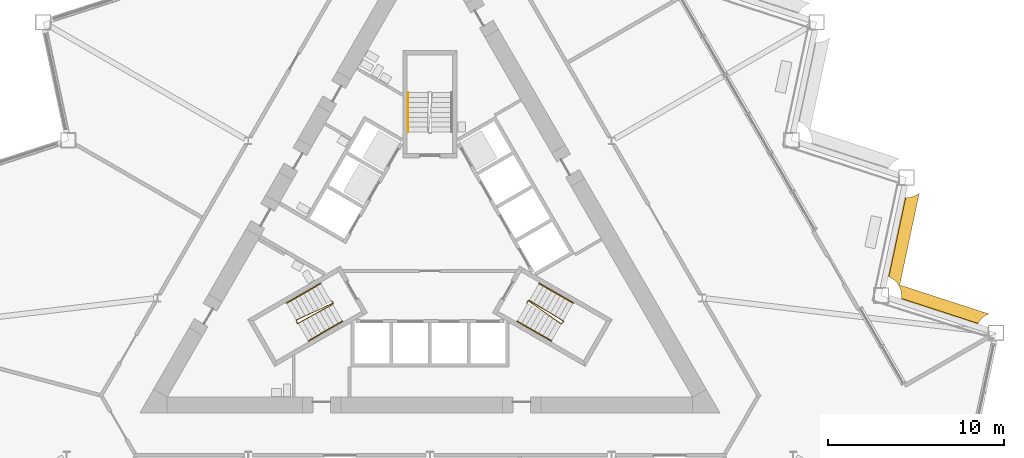
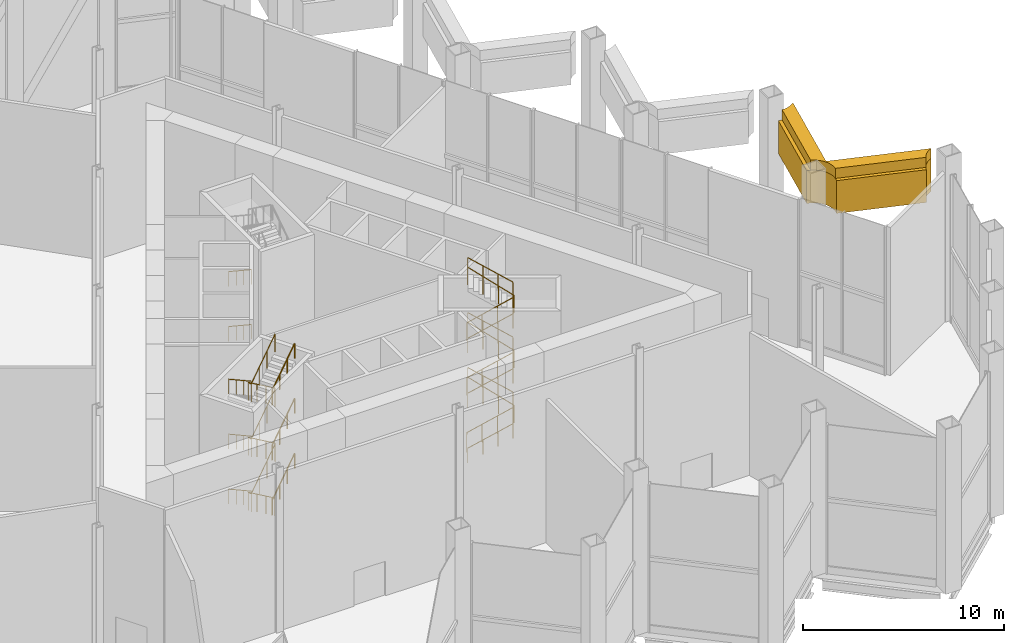
# One storey, part 15 of 18: 16 railings, 2 coverings.
"""IFC4 building model written with IfcOpenShell, lengths in metres."""

from ifc_helpers import new_model, si_unit, direction, frame, origin, origin_2d, place, context, subcontext, project, spatial, polyline, circle, outline, extrude, material, layer, layer_set, type_object, element, save


model = new_model("IFC4")

# Units and contexts
model_context = context("Model", 3, precision=1e-05, world=origin(), true_north=direction((0.0, 1.0)))
body_context = subcontext(model_context, "Body", "Model", "MODEL_VIEW")
ifc_project = project(units=[si_unit("LENGTHUNIT", "METRE"), si_unit("AREAUNIT", "SQUARE_METRE"), si_unit("VOLUMEUNIT", "CUBIC_METRE"), si_unit("PLANEANGLEUNIT", "RADIAN"), si_unit("MASSUNIT", "GRAM", prefix="KILO")], contexts=[model_context])

# Site, building, storey
site_placement = place(None, origin())
site = spatial("IfcSite", under=ifc_project, at=site_placement, CompositionType="ELEMENT")
building_placement = place(site_placement, origin())
building = spatial("IfcBuilding", under=site, at=building_placement, Name="Cormorant Prow Tower", CompositionType="ELEMENT")
storey_placement = place(building_placement, frame((0.0, 0.0, 154.199951171875)))
storey = spatial("IfcBuildingStorey", under=building, at=storey_placement, Name="L33", CompositionType="ELEMENT", Elevation=154.199951171875)

# Railings
ifc_material_1 = material(Name="Stainless steel", Category="steel")
railing_type_1 = type_object("IfcRailingType", Name="Stair guard 1100", PredefinedType="GUARDRAIL", material=ifc_material_1)
railing_1_placement = place(storey_placement, frame((-5.585205078125, -3.137939453125, 0.0)))
element("IfcRailing", 1, at=railing_1_placement, inside=storey, type_object=railing_type_1, Name="L33 ST1 stair guard 1", PredefinedType="GUARDRAIL", context=body_context, shape_type="SweptSolid", body=[
    extrude(circle(Radius=0.02392578125, at=origin_2d()), frame((0.0, 0.0, 1.076171875), z_axis=(0.501036270542, -0.865426285481, 0.0), x_axis=(0.865426285481, 0.501036270542, 0.0)), (0.0, 0.0, 1.0), 0.150146484375),
    extrude(circle(Radius=0.02392578125, at=origin_2d()), frame((0.0751953125, -0.1298828125, 1.076171875), z_axis=(-0.733674800789, -0.342289860769, 0.586991429156), x_axis=(0.422792438952, -0.906226546491, 0.0)), (0.0, 0.0, 1.0), 2.83935546875),
    extrude(circle(Radius=0.02392578125, at=origin_2d()), frame((-2.008056640625, -1.101806640625, 2.74267578125), z_axis=(0.275034262293, -0.961434425515, 0.0), x_axis=(0.961434425515, 0.275034262293, 0.0)), (0.0, 0.0, 1.0), 0.2060546875),
    extrude(circle(Radius=0.02392578125, at=origin_2d()), frame((-1.951416015625, -1.2998046875, 2.74267578125), z_axis=(0.708945260141, 0.388859836343, 0.588374579502), x_axis=(-0.480911908544, 0.87676891837, 0.0)), (0.0, 0.0, 1.0), 2.832763671875),
    extrude(circle(Radius=0.02392578125, at=origin_2d()), frame((0.056884765625, -0.1982421875, 4.40966796875), z_axis=(0.258736085224, 0.965948051503, 0.0), x_axis=(-0.965948051503, 0.258736085224, 0.0)), (0.0, 0.0, 1.0), 0.07080078125),
    extrude(circle(Radius=0.02392578125, at=origin_2d()), frame((0.0751953125, -0.1298828125, 4.40966796875), z_axis=(-0.733711829474, -0.342307136193, 0.586935069494), x_axis=(0.422792438952, -0.906226546491, 0.0)), (0.0, 0.0, 1.0), 2.83935546875),
    extrude(circle(Radius=0.02392578125, at=origin_2d()), frame((-2.008056640625, -1.101806640625, 6.076171875), z_axis=(0.275034262293, -0.961434425515, 0.0), x_axis=(0.961434425515, 0.275034262293, 0.0)), (0.0, 0.0, 1.0), 0.2060546875),
    extrude(circle(Radius=0.02392578125, at=origin_2d()), frame((-1.951416015625, -1.2998046875, 6.076171875), z_axis=(0.708945260141, 0.388859836343, 0.588374579502), x_axis=(-0.480911908544, 0.87676891837, 0.0)), (0.0, 0.0, 1.0), 2.832763671875),
    extrude(circle(Radius=0.02392578125, at=origin_2d()), frame((0.056884765625, -0.1982421875, 7.74267578125), z_axis=(0.258736085224, 0.965948051503, 0.0), x_axis=(-0.965948051503, 0.258736085224, 0.0)), (0.0, 0.0, 1.0), 0.07080078125),
    extrude(circle(Radius=0.02392578125, at=origin_2d()), frame((0.0751953125, -0.1298828125, 7.74267578125), z_axis=(-0.733674800789, -0.342289860769, 0.586991429156), x_axis=(0.422792438952, -0.906226546491, 0.0)), (0.0, 0.0, 1.0), 2.83935546875),
    extrude(circle(Radius=0.02392578125, at=origin_2d()), frame((-2.008056640625, -1.101806640625, 9.40966796875), z_axis=(0.275034262293, -0.961434425515, 0.0), x_axis=(0.961434425515, 0.275034262293, 0.0)), (0.0, 0.0, 1.0), 0.2060546875),
    extrude(circle(Radius=0.02392578125, at=origin_2d()), frame((-1.951416015625, -1.2998046875, 9.40966796875), z_axis=(0.708981209556, 0.388879554767, 0.588318227137), x_axis=(-0.480911908544, 0.87676891837, 0.0)), (0.0, 0.0, 1.0), 2.832763671875),
    extrude(circle(Radius=0.02099609375, at=origin_2d()), origin(), (0.0, 0.0, 1.0), 1.052001953125),
    extrude(circle(Radius=0.02099609375, at=origin_2d()), frame((0.0751953125, -0.1298828125, 0.0)), (0.0, 0.0, 1.0), 1.052001953125),
    extrude(circle(Radius=0.02099609375, at=origin_2d()), frame((-0.619140625, -0.453857421875, 0.5556640625)), (0.0, 0.0, 1.0), 1.052001953125),
    extrude(circle(Radius=0.02099609375, at=origin_2d()), frame((-1.313720703125, -0.77783203125, 1.111083984375)), (0.0, 0.0, 1.0), 1.052001953125),
    extrude(circle(Radius=0.02099609375, at=origin_2d()), frame((-2.008056640625, -1.101806640625, 1.666748046875)), (0.0, 0.0, 1.0), 1.052001953125),
    extrude(circle(Radius=0.02099609375, at=origin_2d()), frame((-1.951416015625, -1.2998046875, 1.666748046875)), (0.0, 0.0, 1.0), 1.052001953125),
    extrude(circle(Radius=0.02099609375, at=origin_2d()), frame((-1.281982421875, -0.9326171875, 2.222412109375)), (0.0, 0.0, 1.0), 1.052001953125),
    extrude(circle(Radius=0.02099609375, at=origin_2d()), frame((-0.612548828125, -0.5654296875, 2.77783203125)), (0.0, 0.0, 1.0), 1.052001953125),
    extrude(circle(Radius=0.02099609375, at=origin_2d()), frame((0.056884765625, -0.1982421875, 3.33349609375)), (0.0, 0.0, 1.0), 1.052001953125),
    extrude(circle(Radius=0.02099609375, at=origin_2d()), frame((0.0751953125, -0.1298828125, 3.33349609375)), (0.0, 0.0, 1.0), 1.052001953125),
    extrude(circle(Radius=0.02099609375, at=origin_2d()), frame((-0.619140625, -0.453857421875, 3.888916015625)), (0.0, 0.0, 1.0), 1.052001953125),
    extrude(circle(Radius=0.02099609375, at=origin_2d()), frame((-1.313720703125, -0.77783203125, 4.444580078125)), (0.0, 0.0, 1.0), 1.052001953125),
    extrude(circle(Radius=0.02099609375, at=origin_2d()), frame((-2.008056640625, -1.101806640625, 5.0)), (0.0, 0.0, 1.0), 1.052001953125),
    extrude(circle(Radius=0.02099609375, at=origin_2d()), frame((-1.951416015625, -1.2998046875, 5.0)), (0.0, 0.0, 1.0), 1.052001953125),
    extrude(circle(Radius=0.02099609375, at=origin_2d()), frame((-1.281982421875, -0.9326171875, 5.5556640625)), (0.0, 0.0, 1.0), 1.052001953125),
    extrude(circle(Radius=0.02099609375, at=origin_2d()), frame((-0.612548828125, -0.5654296875, 6.111083984375)), (0.0, 0.0, 1.0), 1.052001953125),
    extrude(circle(Radius=0.02099609375, at=origin_2d()), frame((0.056884765625, -0.1982421875, 6.666748046875)), (0.0, 0.0, 1.0), 1.052001953125),
    extrude(circle(Radius=0.02099609375, at=origin_2d()), frame((0.0751953125, -0.1298828125, 6.666748046875)), (0.0, 0.0, 1.0), 1.052001953125),
    extrude(circle(Radius=0.02099609375, at=origin_2d()), frame((-0.619140625, -0.453857421875, 7.222412109375)), (0.0, 0.0, 1.0), 1.052001953125),
    extrude(circle(Radius=0.02099609375, at=origin_2d()), frame((-1.313720703125, -0.77783203125, 7.77783203125)), (0.0, 0.0, 1.0), 1.052001953125),
    extrude(circle(Radius=0.02099609375, at=origin_2d()), frame((-2.008056640625, -1.101806640625, 8.33349609375)), (0.0, 0.0, 1.0), 1.052001953125),
    extrude(circle(Radius=0.02099609375, at=origin_2d()), frame((-1.951416015625, -1.2998046875, 8.33349609375)), (0.0, 0.0, 1.0), 1.052001953125),
    extrude(circle(Radius=0.02099609375, at=origin_2d()), frame((-1.281982421875, -0.9326171875, 8.888916015625)), (0.0, 0.0, 1.0), 1.052001953125),
    extrude(circle(Radius=0.02099609375, at=origin_2d()), frame((-0.612548828125, -0.5654296875, 9.444580078125)), (0.0, 0.0, 1.0), 1.052001953125),
    extrude(circle(Radius=0.02099609375, at=origin_2d()), frame((0.056884765625, -0.1982421875, 10.0)), (0.0, 0.0, 1.0), 1.052001953125),
])
railing_2_placement = place(storey_placement, frame((5.510009765625, -3.267822265625, 0.0)))
element("IfcRailing", 2, at=railing_2_placement, inside=storey, type_object=railing_type_1, Name="L33 ST2 stair guard 1", PredefinedType="GUARDRAIL", context=body_context, shape_type="SweptSolid", body=[
    extrude(circle(Radius=0.02392578125, at=origin_2d()), frame((0.0, 0.0, 1.076171875), z_axis=(0.501036270542, 0.865426285481, 0.0), x_axis=(-0.865426285481, 0.501036270542, 0.0)), (0.0, 0.0, 1.0), 0.150146484375),
    extrude(circle(Radius=0.02392578125, at=origin_2d()), frame((0.0751953125, 0.1298828125, 1.076171875), z_axis=(0.663221673184, -0.464246572478, 0.587036738341), x_axis=(0.573455215813, 0.819236910458, 0.0)), (0.0, 0.0, 1.0), 2.83935546875),
    extrude(circle(Radius=0.02392578125, at=origin_2d()), frame((1.958251953125, -1.188232421875, 2.74267578125), z_axis=(0.695164929852, 0.718850276695, 0.0), x_axis=(-0.718850276695, 0.695164929852, 0.0)), (0.0, 0.0, 1.0), 0.2060546875),
    extrude(circle(Radius=0.02392578125, at=origin_2d()), frame((2.1015625, -1.0400390625, 2.74267578125), z_axis=(-0.69128044623, 0.419456667722, 0.588376961278), x_axis=(-0.518752825935, -0.854924268918, 0.0)), (0.0, 0.0, 1.0), 2.832763671875),
    extrude(circle(Radius=0.02392578125, at=origin_2d()), frame((0.143310546875, 0.148193359375, 4.40966796875), z_axis=(-0.965715946433, -0.259601060869, 0.0), x_axis=(0.259601060869, -0.965715946433, 0.0)), (0.0, 0.0, 1.0), 0.070556640625),
    extrude(circle(Radius=0.02392578125, at=origin_2d()), frame((0.0751953125, 0.1298828125, 4.40966796875), z_axis=(0.663255151256, -0.464270006694, 0.586980378902), x_axis=(0.573455215813, 0.819236910458, 0.0)), (0.0, 0.0, 1.0), 2.839111328125),
    extrude(circle(Radius=0.02392578125, at=origin_2d()), frame((1.958251953125, -1.188232421875, 6.076171875), z_axis=(0.695164929852, 0.718850276695, 0.0), x_axis=(-0.718850276695, 0.695164929852, 0.0)), (0.0, 0.0, 1.0), 0.2060546875),
    extrude(circle(Radius=0.02392578125, at=origin_2d()), frame((2.1015625, -1.0400390625, 6.076171875), z_axis=(-0.69128044623, 0.419456667722, 0.588376961278), x_axis=(-0.518752825935, -0.854924268918, 0.0)), (0.0, 0.0, 1.0), 2.832763671875),
    extrude(circle(Radius=0.02392578125, at=origin_2d()), frame((0.143310546875, 0.148193359375, 7.74267578125), z_axis=(-0.965715946433, -0.259601060869, 0.0), x_axis=(0.259601060869, -0.965715946433, 0.0)), (0.0, 0.0, 1.0), 0.070556640625),
    extrude(circle(Radius=0.02392578125, at=origin_2d()), frame((0.0751953125, 0.1298828125, 7.74267578125), z_axis=(0.663221673184, -0.464246572478, 0.587036738341), x_axis=(0.573455215813, 0.819236910458, 0.0)), (0.0, 0.0, 1.0), 2.83935546875),
    extrude(circle(Radius=0.02392578125, at=origin_2d()), frame((1.958251953125, -1.188232421875, 9.40966796875), z_axis=(0.695164929852, 0.718850276695, 0.0), x_axis=(-0.718850276695, 0.695164929852, 0.0)), (0.0, 0.0, 1.0), 0.2060546875),
    extrude(circle(Radius=0.02392578125, at=origin_2d()), frame((2.1015625, -1.0400390625, 9.40966796875), z_axis=(-0.691315500176, 0.419477937833, 0.588320608927), x_axis=(-0.518752825935, -0.854924268918, 0.0)), (0.0, 0.0, 1.0), 2.832763671875),
    extrude(circle(Radius=0.02099609375, at=origin_2d()), origin(), (0.0, 0.0, 1.0), 1.052001953125),
    extrude(circle(Radius=0.02099609375, at=origin_2d()), frame((0.0751953125, 0.1298828125, 0.0)), (0.0, 0.0, 1.0), 1.052001953125),
    extrude(circle(Radius=0.02099609375, at=origin_2d()), frame((0.702880859375, -0.3095703125, 0.5556640625)), (0.0, 0.0, 1.0), 1.052001953125),
    extrude(circle(Radius=0.02099609375, at=origin_2d()), frame((1.33056640625, -0.748779296875, 1.111083984375)), (0.0, 0.0, 1.0), 1.052001953125),
    extrude(circle(Radius=0.02099609375, at=origin_2d()), frame((1.958251953125, -1.188232421875, 1.666748046875)), (0.0, 0.0, 1.0), 1.052001953125),
    extrude(circle(Radius=0.02099609375, at=origin_2d()), frame((2.1015625, -1.0400390625, 1.666748046875)), (0.0, 0.0, 1.0), 1.052001953125),
    extrude(circle(Radius=0.02099609375, at=origin_2d()), frame((1.44873046875, -0.64404296875, 2.222412109375)), (0.0, 0.0, 1.0), 1.052001953125),
    extrude(circle(Radius=0.02099609375, at=origin_2d()), frame((0.796142578125, -0.247802734375, 2.77783203125)), (0.0, 0.0, 1.0), 1.052001953125),
    extrude(circle(Radius=0.02099609375, at=origin_2d()), frame((0.143310546875, 0.148193359375, 3.33349609375)), (0.0, 0.0, 1.0), 1.052001953125),
    extrude(circle(Radius=0.02099609375, at=origin_2d()), frame((0.0751953125, 0.1298828125, 3.33349609375)), (0.0, 0.0, 1.0), 1.052001953125),
    extrude(circle(Radius=0.02099609375, at=origin_2d()), frame((0.702880859375, -0.3095703125, 3.888916015625)), (0.0, 0.0, 1.0), 1.052001953125),
    extrude(circle(Radius=0.02099609375, at=origin_2d()), frame((1.33056640625, -0.748779296875, 4.444580078125)), (0.0, 0.0, 1.0), 1.052001953125),
    extrude(circle(Radius=0.02099609375, at=origin_2d()), frame((1.958251953125, -1.188232421875, 5.0)), (0.0, 0.0, 1.0), 1.052001953125),
    extrude(circle(Radius=0.02099609375, at=origin_2d()), frame((2.1015625, -1.0400390625, 5.0)), (0.0, 0.0, 1.0), 1.052001953125),
    extrude(circle(Radius=0.02099609375, at=origin_2d()), frame((1.44873046875, -0.64404296875, 5.5556640625)), (0.0, 0.0, 1.0), 1.052001953125),
    extrude(circle(Radius=0.02099609375, at=origin_2d()), frame((0.796142578125, -0.247802734375, 6.111083984375)), (0.0, 0.0, 1.0), 1.052001953125),
    extrude(circle(Radius=0.02099609375, at=origin_2d()), frame((0.143310546875, 0.148193359375, 6.666748046875)), (0.0, 0.0, 1.0), 1.052001953125),
    extrude(circle(Radius=0.02099609375, at=origin_2d()), frame((0.0751953125, 0.1298828125, 6.666748046875)), (0.0, 0.0, 1.0), 1.052001953125),
    extrude(circle(Radius=0.02099609375, at=origin_2d()), frame((0.702880859375, -0.3095703125, 7.222412109375)), (0.0, 0.0, 1.0), 1.052001953125),
    extrude(circle(Radius=0.02099609375, at=origin_2d()), frame((1.33056640625, -0.748779296875, 7.77783203125)), (0.0, 0.0, 1.0), 1.052001953125),
    extrude(circle(Radius=0.02099609375, at=origin_2d()), frame((1.958251953125, -1.188232421875, 8.33349609375)), (0.0, 0.0, 1.0), 1.052001953125),
    extrude(circle(Radius=0.02099609375, at=origin_2d()), frame((2.1015625, -1.0400390625, 8.33349609375)), (0.0, 0.0, 1.0), 1.052001953125),
    extrude(circle(Radius=0.02099609375, at=origin_2d()), frame((1.44873046875, -0.64404296875, 8.888916015625)), (0.0, 0.0, 1.0), 1.052001953125),
    extrude(circle(Radius=0.02099609375, at=origin_2d()), frame((0.796142578125, -0.247802734375, 9.444580078125)), (0.0, 0.0, 1.0), 1.052001953125),
    extrude(circle(Radius=0.02099609375, at=origin_2d()), frame((0.143310546875, 0.148193359375, 10.0)), (0.0, 0.0, 1.0), 1.052001953125),
])
ifc_material_2 = material(Name="Stainless steel", Category="steel")
railing_type_2 = type_object("IfcRailingType", Name="Stair handrail 900", PredefinedType="HANDRAIL", material=ifc_material_2)
railing_3_placement = place(storey_placement, frame((-6.212890625, -2.150634765625, 0.185302734375)))
element("IfcRailing", 3, at=railing_3_placement, inside=storey, type_object=railing_type_2, Name="L33 ST1 stair handrail 1", PredefinedType="HANDRAIL", context=body_context, shape_type="SweptSolid", body=[
    extrude(circle(Radius=0.02392578125, at=origin_2d()), frame((0.0, 0.0, 0.8759765625), z_axis=(-0.722363311002, -0.416999812178, 0.551636115172), x_axis=(0.49994888933, -0.866054910533, 0.0)), (0.0, 0.0, 1.0), 2.685546875),
    extrude(circle(Radius=0.02099609375, at=origin_2d()), origin(), (0.0, 0.0, 1.0), 0.851806640625),
    extrude(circle(Radius=0.02099609375, at=origin_2d()), frame((-0.646728515625, -0.373291015625, 0.493896484375)), (0.0, 0.0, 1.0), 0.851806640625),
    extrude(circle(Radius=0.02099609375, at=origin_2d()), frame((-1.293212890625, -0.74658203125, 0.987548828125)), (0.0, 0.0, 1.0), 0.851806640625),
    extrude(circle(Radius=0.02099609375, at=origin_2d()), frame((-1.93994140625, -1.119873046875, 1.4814453125)), (0.0, 0.0, 1.0), 0.851806640625),
])
railing_4_placement = place(storey_placement, frame((-6.90869140625, -5.42529296875, 1.851806640625)))
element("IfcRailing", 4, at=railing_4_placement, inside=storey, type_object=railing_type_2, Name="L33 ST1 stair handrail 2", PredefinedType="HANDRAIL", context=body_context, shape_type="SweptSolid", body=[
    extrude(circle(Radius=0.02392578125, at=origin_2d()), frame((0.0, 0.0, 0.8759765625), z_axis=(0.722256223011, 0.417081378373, 0.551714665507), x_axis=(-0.500077830873, 0.865980463445, 0.0)), (0.0, 0.0, 1.0), 2.685546875),
    extrude(circle(Radius=0.02099609375, at=origin_2d()), origin(), (0.0, 0.0, 1.0), 0.851806640625),
    extrude(circle(Radius=0.02099609375, at=origin_2d()), frame((0.646484375, 0.373291015625, 0.493896484375)), (0.0, 0.0, 1.0), 0.851806640625),
    extrude(circle(Radius=0.02099609375, at=origin_2d()), frame((1.293212890625, 0.746826171875, 0.98779296875)), (0.0, 0.0, 1.0), 0.851806640625),
    extrude(circle(Radius=0.02099609375, at=origin_2d()), frame((1.939697265625, 1.1201171875, 1.481689453125)), (0.0, 0.0, 1.0), 0.851806640625),
])
railing_5_placement = place(storey_placement, frame((-6.212890625, -2.150634765625, 3.5185546875)))
element("IfcRailing", 5, at=railing_5_placement, inside=storey, type_object=railing_type_2, Name="L33 ST1 stair handrail 3", PredefinedType="HANDRAIL", context=body_context, shape_type="SweptSolid", body=[
    extrude(circle(Radius=0.02392578125, at=origin_2d()), frame((0.0, 0.0, 0.8759765625), z_axis=(-0.722363311002, -0.416999812178, 0.551636115172), x_axis=(0.49994888933, -0.866054910533, 0.0)), (0.0, 0.0, 1.0), 2.685546875),
    extrude(circle(Radius=0.02099609375, at=origin_2d()), origin(), (0.0, 0.0, 1.0), 0.851806640625),
    extrude(circle(Radius=0.02099609375, at=origin_2d()), frame((-0.646728515625, -0.373291015625, 0.493896484375)), (0.0, 0.0, 1.0), 0.851806640625),
    extrude(circle(Radius=0.02099609375, at=origin_2d()), frame((-1.293212890625, -0.74658203125, 0.987548828125)), (0.0, 0.0, 1.0), 0.851806640625),
    extrude(circle(Radius=0.02099609375, at=origin_2d()), frame((-1.93994140625, -1.119873046875, 1.4814453125)), (0.0, 0.0, 1.0), 0.851806640625),
])
railing_6_placement = place(storey_placement, frame((-6.90869140625, -5.42529296875, 5.185302734375)))
element("IfcRailing", 6, at=railing_6_placement, inside=storey, type_object=railing_type_2, Name="L33 ST1 stair handrail 4", PredefinedType="HANDRAIL", context=body_context, shape_type="SweptSolid", body=[
    extrude(circle(Radius=0.02392578125, at=origin_2d()), frame((0.0, 0.0, 0.8759765625), z_axis=(0.72229244732, 0.417102296828, 0.551651424838), x_axis=(-0.500077830873, 0.865980463445, 0.0)), (0.0, 0.0, 1.0), 2.685546875),
    extrude(circle(Radius=0.02099609375, at=origin_2d()), origin(), (0.0, 0.0, 1.0), 0.851806640625),
    extrude(circle(Radius=0.02099609375, at=origin_2d()), frame((0.646484375, 0.373291015625, 0.493896484375)), (0.0, 0.0, 1.0), 0.851806640625),
    extrude(circle(Radius=0.02099609375, at=origin_2d()), frame((1.293212890625, 0.746826171875, 0.987548828125)), (0.0, 0.0, 1.0), 0.851806640625),
    extrude(circle(Radius=0.02099609375, at=origin_2d()), frame((1.939697265625, 1.1201171875, 1.4814453125)), (0.0, 0.0, 1.0), 0.851806640625),
])
railing_7_placement = place(storey_placement, frame((-6.212890625, -2.150634765625, 6.851806640625)))
element("IfcRailing", 7, at=railing_7_placement, inside=storey, type_object=railing_type_2, Name="L33 ST1 stair handrail 5", PredefinedType="HANDRAIL", context=body_context, shape_type="SweptSolid", body=[
    extrude(circle(Radius=0.02392578125, at=origin_2d()), frame((0.0, 0.0, 0.8759765625), z_axis=(-0.72232708515, -0.416978900023, 0.551699355622), x_axis=(0.49994888933, -0.866054910533, 0.0)), (0.0, 0.0, 1.0), 2.685791015625),
    extrude(circle(Radius=0.02099609375, at=origin_2d()), origin(), (0.0, 0.0, 1.0), 0.851806640625),
    extrude(circle(Radius=0.02099609375, at=origin_2d()), frame((-0.646728515625, -0.373291015625, 0.493896484375)), (0.0, 0.0, 1.0), 0.851806640625),
    extrude(circle(Radius=0.02099609375, at=origin_2d()), frame((-1.293212890625, -0.74658203125, 0.98779296875)), (0.0, 0.0, 1.0), 0.851806640625),
    extrude(circle(Radius=0.02099609375, at=origin_2d()), frame((-1.93994140625, -1.119873046875, 1.481689453125)), (0.0, 0.0, 1.0), 0.851806640625),
])
railing_8_placement = place(storey_placement, frame((-6.90869140625, -5.42529296875, 8.5185546875)))
element("IfcRailing", 8, at=railing_8_placement, inside=storey, type_object=railing_type_2, Name="L33 ST1 stair handrail 6", PredefinedType="HANDRAIL", context=body_context, shape_type="SweptSolid", body=[
    extrude(circle(Radius=0.02392578125, at=origin_2d()), frame((0.0, 0.0, 0.8759765625), z_axis=(0.72229244732, 0.417102296828, 0.551651424838), x_axis=(-0.500077830873, 0.865980463445, 0.0)), (0.0, 0.0, 1.0), 2.685546875),
    extrude(circle(Radius=0.02099609375, at=origin_2d()), origin(), (0.0, 0.0, 1.0), 0.851806640625),
    extrude(circle(Radius=0.02099609375, at=origin_2d()), frame((0.646484375, 0.373291015625, 0.493896484375)), (0.0, 0.0, 1.0), 0.851806640625),
    extrude(circle(Radius=0.02099609375, at=origin_2d()), frame((1.293212890625, 0.746826171875, 0.987548828125)), (0.0, 0.0, 1.0), 0.851806640625),
    extrude(circle(Radius=0.02099609375, at=origin_2d()), frame((1.939697265625, 1.1201171875, 1.4814453125)), (0.0, 0.0, 1.0), 0.851806640625),
])
railing_9_placement = place(storey_placement, frame((4.968994140625, -4.30517578125, 0.185302734375)))
element("IfcRailing", 9, at=railing_9_placement, inside=storey, type_object=railing_type_2, Name="L33 ST2 stair handrail 1", PredefinedType="HANDRAIL", context=body_context, shape_type="SweptSolid", body=[
    extrude(circle(Radius=0.02392578125, at=origin_2d()), frame((0.0, 0.0, 0.8759765625), z_axis=(0.72229244732, -0.417102296828, 0.551651424838), x_axis=(0.500077830873, 0.865980463445, 0.0)), (0.0, 0.0, 1.0), 2.685546875),
    extrude(circle(Radius=0.02099609375, at=origin_2d()), origin(), (0.0, 0.0, 1.0), 0.851806640625),
    extrude(circle(Radius=0.02099609375, at=origin_2d()), frame((0.646484375, -0.373291015625, 0.493896484375)), (0.0, 0.0, 1.0), 0.851806640625),
    extrude(circle(Radius=0.02099609375, at=origin_2d()), frame((1.293212890625, -0.746826171875, 0.987548828125)), (0.0, 0.0, 1.0), 0.851806640625),
    extrude(circle(Radius=0.02099609375, at=origin_2d()), frame((1.939697265625, -1.1201171875, 1.4814453125)), (0.0, 0.0, 1.0), 0.851806640625),
])
railing_10_placement = place(storey_placement, frame((8.15283203125, -3.2705078125, 1.851806640625)))
element("IfcRailing", 10, at=railing_10_placement, inside=storey, type_object=railing_type_2, Name="L33 ST2 stair handrail 2", PredefinedType="HANDRAIL", context=body_context, shape_type="SweptSolid", body=[
    extrude(circle(Radius=0.02392578125, at=origin_2d()), frame((0.0, 0.0, 0.8759765625), z_axis=(-0.72232708515, 0.416978900023, 0.551699355622), x_axis=(-0.49994888933, -0.866054910533, 0.0)), (0.0, 0.0, 1.0), 2.685791015625),
    extrude(circle(Radius=0.02099609375, at=origin_2d()), origin(), (0.0, 0.0, 1.0), 0.851806640625),
    extrude(circle(Radius=0.02099609375, at=origin_2d()), frame((-0.646728515625, 0.373291015625, 0.493896484375)), (0.0, 0.0, 1.0), 0.851806640625),
    extrude(circle(Radius=0.02099609375, at=origin_2d()), frame((-1.293212890625, 0.74658203125, 0.98779296875)), (0.0, 0.0, 1.0), 0.851806640625),
    extrude(circle(Radius=0.02099609375, at=origin_2d()), frame((-1.93994140625, 1.119873046875, 1.481689453125)), (0.0, 0.0, 1.0), 0.851806640625),
])
railing_11_placement = place(storey_placement, frame((4.968994140625, -4.30517578125, 3.5185546875)))
element("IfcRailing", 11, at=railing_11_placement, inside=storey, type_object=railing_type_2, Name="L33 ST2 stair handrail 3", PredefinedType="HANDRAIL", context=body_context, shape_type="SweptSolid", body=[
    extrude(circle(Radius=0.02392578125, at=origin_2d()), frame((0.0, 0.0, 0.8759765625), z_axis=(0.72229244732, -0.417102296828, 0.551651424838), x_axis=(0.500077830873, 0.865980463445, 0.0)), (0.0, 0.0, 1.0), 2.685546875),
    extrude(circle(Radius=0.02099609375, at=origin_2d()), origin(), (0.0, 0.0, 1.0), 0.851806640625),
    extrude(circle(Radius=0.02099609375, at=origin_2d()), frame((0.646484375, -0.373291015625, 0.493896484375)), (0.0, 0.0, 1.0), 0.851806640625),
    extrude(circle(Radius=0.02099609375, at=origin_2d()), frame((1.293212890625, -0.746826171875, 0.987548828125)), (0.0, 0.0, 1.0), 0.851806640625),
    extrude(circle(Radius=0.02099609375, at=origin_2d()), frame((1.939697265625, -1.1201171875, 1.4814453125)), (0.0, 0.0, 1.0), 0.851806640625),
])
railing_12_placement = place(storey_placement, frame((8.15283203125, -3.2705078125, 5.185302734375)))
element("IfcRailing", 12, at=railing_12_placement, inside=storey, type_object=railing_type_2, Name="L33 ST2 stair handrail 4", PredefinedType="HANDRAIL", context=body_context, shape_type="SweptSolid", body=[
    extrude(circle(Radius=0.02392578125, at=origin_2d()), frame((0.0, 0.0, 0.8759765625), z_axis=(-0.722363311002, 0.416999812178, 0.551636115172), x_axis=(-0.49994888933, -0.866054910533, 0.0)), (0.0, 0.0, 1.0), 2.685546875),
    extrude(circle(Radius=0.02099609375, at=origin_2d()), origin(), (0.0, 0.0, 1.0), 0.851806640625),
    extrude(circle(Radius=0.02099609375, at=origin_2d()), frame((-0.646728515625, 0.373291015625, 0.493896484375)), (0.0, 0.0, 1.0), 0.851806640625),
    extrude(circle(Radius=0.02099609375, at=origin_2d()), frame((-1.293212890625, 0.74658203125, 0.987548828125)), (0.0, 0.0, 1.0), 0.851806640625),
    extrude(circle(Radius=0.02099609375, at=origin_2d()), frame((-1.93994140625, 1.119873046875, 1.4814453125)), (0.0, 0.0, 1.0), 0.851806640625),
])
railing_13_placement = place(storey_placement, frame((4.968994140625, -4.30517578125, 6.851806640625)))
element("IfcRailing", 13, at=railing_13_placement, inside=storey, type_object=railing_type_2, Name="L33 ST2 stair handrail 5", PredefinedType="HANDRAIL", context=body_context, shape_type="SweptSolid", body=[
    extrude(circle(Radius=0.02392578125, at=origin_2d()), frame((0.0, 0.0, 0.8759765625), z_axis=(0.722256223011, -0.417081378373, 0.551714665507), x_axis=(0.500077830873, 0.865980463445, 0.0)), (0.0, 0.0, 1.0), 2.685546875),
    extrude(circle(Radius=0.02099609375, at=origin_2d()), origin(), (0.0, 0.0, 1.0), 0.851806640625),
    extrude(circle(Radius=0.02099609375, at=origin_2d()), frame((0.646484375, -0.373291015625, 0.493896484375)), (0.0, 0.0, 1.0), 0.851806640625),
    extrude(circle(Radius=0.02099609375, at=origin_2d()), frame((1.293212890625, -0.746826171875, 0.98779296875)), (0.0, 0.0, 1.0), 0.851806640625),
    extrude(circle(Radius=0.02099609375, at=origin_2d()), frame((1.939697265625, -1.1201171875, 1.481689453125)), (0.0, 0.0, 1.0), 0.851806640625),
])
railing_14_placement = place(storey_placement, frame((8.15283203125, -3.2705078125, 8.5185546875)))
element("IfcRailing", 14, at=railing_14_placement, inside=storey, type_object=railing_type_2, Name="L33 ST2 stair handrail 6", PredefinedType="HANDRAIL", context=body_context, shape_type="SweptSolid", body=[
    extrude(circle(Radius=0.02392578125, at=origin_2d()), frame((0.0, 0.0, 0.8759765625), z_axis=(-0.722363311002, 0.416999812178, 0.551636115172), x_axis=(-0.49994888933, -0.866054910533, 0.0)), (0.0, 0.0, 1.0), 2.685546875),
    extrude(circle(Radius=0.02099609375, at=origin_2d()), origin(), (0.0, 0.0, 1.0), 0.851806640625),
    extrude(circle(Radius=0.02099609375, at=origin_2d()), frame((-0.646728515625, 0.373291015625, 0.493896484375)), (0.0, 0.0, 1.0), 0.851806640625),
    extrude(circle(Radius=0.02099609375, at=origin_2d()), frame((-1.293212890625, 0.74658203125, 0.987548828125)), (0.0, 0.0, 1.0), 0.851806640625),
    extrude(circle(Radius=0.02099609375, at=origin_2d()), frame((-1.93994140625, 1.119873046875, 1.4814453125)), (0.0, 0.0, 1.0), 0.851806640625),
])
railing_15_placement = place(storey_placement, frame((-1.243896484375, 8.69580078125, 1.851806640625)))
element("IfcRailing", 15, at=railing_15_placement, inside=storey, type_object=railing_type_2, Name="L33 ST3 stair handrail 2", PredefinedType="HANDRAIL", context=body_context, shape_type="SweptSolid", body=[
    extrude(circle(Radius=0.02392578125, at=origin_2d()), frame((0.0, 0.0, 0.8759765625), z_axis=(0.0, -0.834044775973, 0.551696756989), x_axis=(1.0, 0.0, 0.0)), (0.0, 0.0, 1.0), 2.685791015625),
    extrude(circle(Radius=0.02099609375, at=origin_2d()), origin(), (0.0, 0.0, 1.0), 0.851806640625),
    extrude(circle(Radius=0.02099609375, at=origin_2d()), frame((0.0, -0.74658203125, 0.493896484375)), (0.0, 0.0, 1.0), 0.851806640625),
    extrude(circle(Radius=0.02099609375, at=origin_2d()), frame((0.0, -1.493408203125, 0.98779296875)), (0.0, 0.0, 1.0), 0.851806640625),
    extrude(circle(Radius=0.02099609375, at=origin_2d()), frame((0.0, -2.239990234375, 1.481689453125)), (0.0, 0.0, 1.0), 0.851806640625),
])
railing_16_placement = place(storey_placement, frame((-1.243896484375, 8.69580078125, 5.185302734375)))
element("IfcRailing", 16, at=railing_16_placement, inside=storey, type_object=railing_type_2, Name="L33 ST3 stair handrail 4", PredefinedType="HANDRAIL", context=body_context, shape_type="SweptSolid", body=[
    extrude(circle(Radius=0.02392578125, at=origin_2d()), frame((0.0, 0.0, 0.8759765625), z_axis=(0.0, -0.83408660425, 0.551633516577), x_axis=(1.0, 0.0, 0.0)), (0.0, 0.0, 1.0), 2.685546875),
    extrude(circle(Radius=0.02099609375, at=origin_2d()), origin(), (0.0, 0.0, 1.0), 0.851806640625),
    extrude(circle(Radius=0.02099609375, at=origin_2d()), frame((0.0, -0.74658203125, 0.493896484375)), (0.0, 0.0, 1.0), 0.851806640625),
    extrude(circle(Radius=0.02099609375, at=origin_2d()), frame((0.0, -1.493408203125, 0.987548828125)), (0.0, 0.0, 1.0), 0.851806640625),
    extrude(circle(Radius=0.02099609375, at=origin_2d()), frame((0.0, -2.239990234375, 1.4814453125)), (0.0, 0.0, 1.0), 0.851806640625),
])

# Coverings
ifc_material_3 = material(Name="Terracotta", Category="masonry")
ifc_layer = layer(ifc_material_3, 0.89990234375)
ifc_layer_set = layer_set([ifc_layer], Name="Terracotta")
covering_type = type_object("IfcCoveringType", Name="Terrace lintel fascia 900", PredefinedType="CLADDING", material=ifc_layer_set)
covering_1_placement = place(storey_placement, frame((0.0, 0.0, 7.0)))
element("IfcCovering", 17, at=covering_1_placement, inside=storey, type_object=covering_type, Name="Terrace lintel L33 part 4", PredefinedType="CLADDING", context=body_context, shape_type="SweptSolid", body=[
    extrude(outline(polyline([(26.857421875, 2.741943359375), (26.871826171875, 2.73828125), (26.9833984375, 2.7216796875), (27.09619140625, 2.71630859375), (27.208984375, 2.7216796875), (27.320556640625, 2.73828125), (27.43017578125, 2.765625), (27.536376953125, 2.8037109375), (27.63818359375, 2.85205078125), (27.735107421875, 2.909912109375), (27.82568359375, 2.977294921875), (27.827880859375, 2.97900390625), (26.71826171875, -2.240966796875), (31.79541015625, -3.890625), (31.756103515625, -3.90478515625), (31.654052734375, -3.952880859375), (31.557373046875, -4.010986328125), (31.466552734375, -4.078125), (31.383056640625, -4.154052734375), (31.30712890625, -4.237548828125), (31.239990234375, -4.328125), (31.181884765625, -4.425048828125), (31.1337890625, -4.527099609375), (31.103271484375, -4.612060546875), (26.76220703125, -3.20166015625), (26.77001953125, -3.180419921875), (26.79736328125, -3.07080078125), (26.81396484375, -2.959228515625), (26.8193359375, -2.846435546875), (26.81396484375, -2.733642578125), (26.79736328125, -2.6220703125), (26.77001953125, -2.5126953125), (26.73193359375, -2.406494140625), (26.68359375, -2.304443359375), (26.62548828125, -2.20751953125), (26.558349609375, -2.116943359375), (26.482666015625, -2.033203125), (26.39892578125, -1.95751953125), (26.308349609375, -1.890380859375), (26.21142578125, -1.832275390625), (26.109619140625, -1.783935546875), (26.003173828125, -1.74609375), (25.908447265625, -1.72216796875), (26.857421875, 2.741943359375)])), origin(), (0.0, 0.0, 1.0), 1.989013671875),
])
covering_2_placement = place(storey_placement, frame((0.0, 0.0, 8.989013671875)))
element("IfcCovering", 18, at=covering_2_placement, inside=storey, type_object=covering_type, Name="Terrace lintel L33 head part 4", PredefinedType="CLADDING", context=body_context, shape_type="SweptSolid", body=[
    extrude(outline(polyline([(27.09619140625, 2.71630859375), (27.208984375, 2.7216796875), (27.320556640625, 2.73828125), (27.43017578125, 2.765625), (27.536376953125, 2.8037109375), (27.63818359375, 2.85205078125), (27.735107421875, 2.909912109375), (27.82568359375, 2.977294921875), (27.827880859375, 2.97900390625), (26.71826171875, -2.240966796875), (31.79541015625, -3.890625), (31.756103515625, -3.90478515625), (31.654052734375, -3.952880859375), (31.557373046875, -4.010986328125), (31.466552734375, -4.078125), (31.383056640625, -4.154052734375), (31.30712890625, -4.237548828125), (31.239990234375, -4.328125), (31.181884765625, -4.425048828125), (31.180908203125, -4.427001953125), (26.806884765625, -3.005859375), (26.81396484375, -2.959228515625), (26.8193359375, -2.846435546875), (26.81396484375, -2.733642578125), (26.79736328125, -2.6220703125), (26.77001953125, -2.5126953125), (26.73193359375, -2.406494140625), (26.68359375, -2.304443359375), (26.62548828125, -2.20751953125), (26.558349609375, -2.116943359375), (26.482666015625, -2.033203125), (26.39892578125, -1.95751953125), (26.308349609375, -1.890380859375), (26.21142578125, -1.832275390625), (26.109619140625, -1.783935546875), (26.100341796875, -1.78076171875), (27.056640625, 2.71826171875), (27.09619140625, 2.71630859375)])), origin(), (0.0, 0.0, 1.0), 0.611083984375),
])

save(model, "model.ifc")
